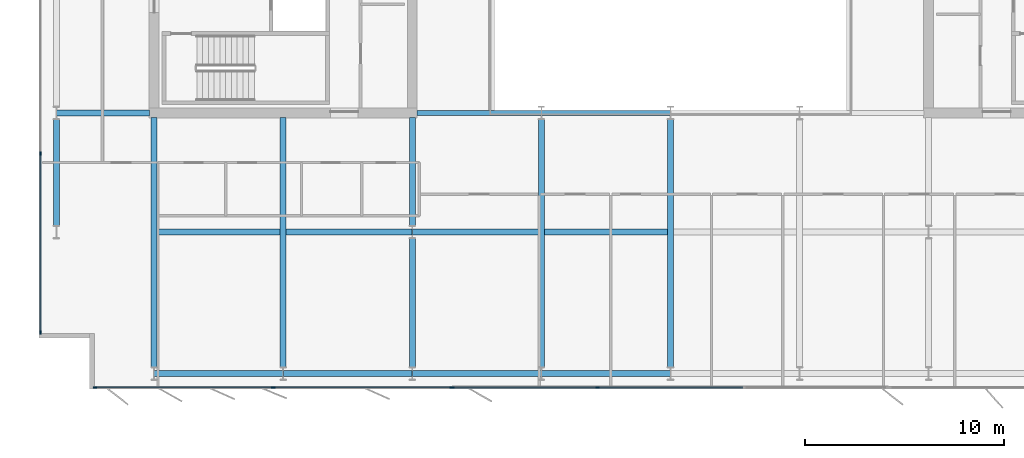
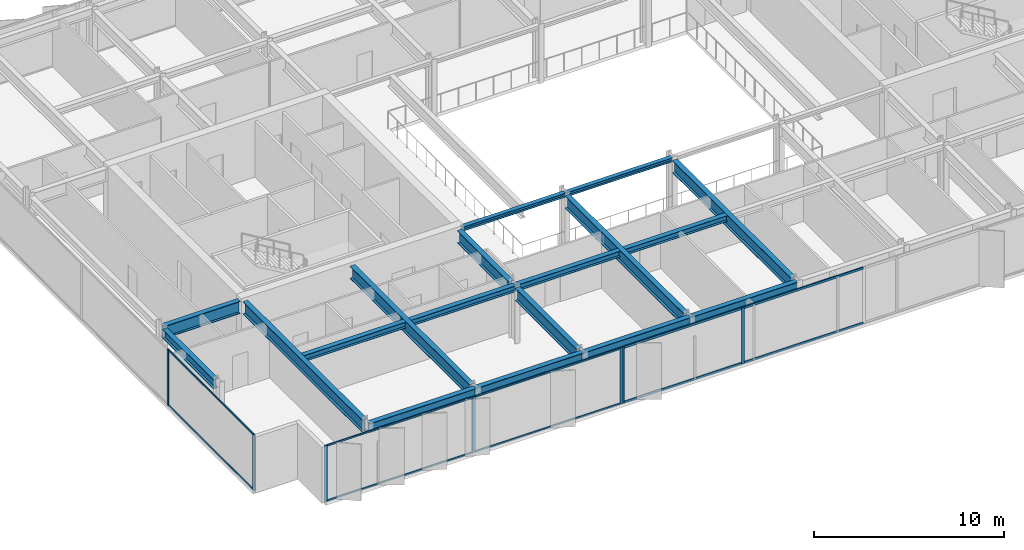
# One storey, part 4 of 20: 18 beams, 17 members, 3 elements without a shape of their own.
"""IFC4 building model written with IfcOpenShell, lengths in metres."""

from ifc_helpers import new_model, si_unit, direction, frame, origin, origin_2d, place, context, subcontext, project, spatial, rectangle, i_section, extrude, material, layer, layer_set, material_profile, profile_set, type_object, element, aggregate, save


model = new_model("IFC4")

# Units and contexts
model_context = context("Model", 3, precision=1e-05, world=origin(), true_north=direction((0.0, 1.0)))
body_context = subcontext(model_context, "Body", "Model", "MODEL_VIEW")
ifc_project = project(units=[si_unit("LENGTHUNIT", "METRE"), si_unit("AREAUNIT", "SQUARE_METRE"), si_unit("VOLUMEUNIT", "CUBIC_METRE"), si_unit("PLANEANGLEUNIT", "RADIAN"), si_unit("MASSUNIT", "GRAM", prefix="KILO")], contexts=[model_context])

# Site, building, storey
site_placement = place(None, origin())
site = spatial("IfcSite", under=ifc_project, at=site_placement, CompositionType="ELEMENT")
building_placement = place(site_placement, origin())
building = spatial("IfcBuilding", under=site, at=building_placement, Name="Putna Gate Headquarters", CompositionType="ELEMENT")
storey_placement = place(building_placement, frame((0.0, 0.0, 270.800048828125)))
storey = spatial("IfcBuildingStorey", under=building, at=storey_placement, Name="L68", CompositionType="ELEMENT", Elevation=270.800048828125)

# Beams
ifc_material_1 = material(Name="Steel S355J2", Category="steel")
ifc_material_profile_1 = material_profile(ifc_material_1, i_section(OverallWidth=0.260009765625, OverallDepth=0.260009765625, WebThickness=0.010009765625, FlangeThickness=0.017578125, at=origin_2d()), Name="Steel S355J2")
ifc_profile_set_1 = profile_set([ifc_material_profile_1], Name="Steel S355J2")
beam_type_1 = type_object("IfcBeamType", Name="BM-ATRIUM-HEB260", PredefinedType="BEAM", material=ifc_profile_set_1)
beam_1_placement = place(storey_placement, frame((26.235107421875, 19.0, 3.4580078125), z_axis=(1.0, 0.0, 0.0), x_axis=(0.0, 1.0, 0.0)))
element("IfcBeam", 1, at=beam_1_placement, inside=storey, type_object=beam_type_1, Name="L68 Atrium Edge Beam AS1", PredefinedType="BEAM", context=body_context, shape_type="SweptSolid", body=[
    extrude(i_section(OverallWidth=0.260009765625, OverallDepth=0.260009765625, WebThickness=0.010009765625, FlangeThickness=0.017578125, at=origin_2d()), origin(), (0.0, 0.0, 1.0), 6.2587890625),
])
beam_2_placement = place(storey_placement, frame((32.506103515625, 19.0, 3.4580078125), z_axis=(1.0, 0.0, 0.0), x_axis=(0.0, 1.0, 0.0)))
element("IfcBeam", 2, at=beam_2_placement, inside=storey, type_object=beam_type_1, Name="L68 Atrium Edge Beam AS2", PredefinedType="BEAM", context=body_context, shape_type="SweptSolid", body=[
    extrude(i_section(OverallWidth=0.260009765625, OverallDepth=0.260009765625, WebThickness=0.010009765625, FlangeThickness=0.017578125, at=origin_2d()), origin(), (0.0, 0.0, 1.0), 6.48779296875),
])
ifc_material_profile_2 = material_profile(ifc_material_1, i_section(OverallWidth=0.300048828125, OverallDepth=0.800048828125, WebThickness=0.017578125, FlangeThickness=0.032958984375, at=origin_2d()), Name="Steel S355J2")
ifc_profile_set_2 = profile_set([ifc_material_profile_2], Name="Steel S355J2")
beam_type_2 = type_object("IfcBeamType", Name="BM-GIRD-P-HEB800", PredefinedType="USERDEFINED", material=ifc_profile_set_2)
beam_3_placement = place(storey_placement, frame((8.0859375, 19.0, 3.18798828125), z_axis=(1.0, 0.0, 0.0), x_axis=(0.0, 1.0, 0.0)))
element("IfcBeam", 3, at=beam_3_placement, inside=storey, type_object=beam_type_2, Name="L68 West Wing Girder Y19", ObjectType="GIRDER", PredefinedType="USERDEFINED", context=body_context, shape_type="SweptSolid", body=[
    extrude(i_section(OverallWidth=0.300048828125, OverallDepth=0.800048828125, WebThickness=0.017578125, FlangeThickness=0.032958984375, at=origin_2d()), origin(), (0.0, 0.0, 1.0), 4.678955078125),
])
for number, where, z_axis, x_axis, name in (
    (4, (13.0, 6.201904296875, 3.18798828125), (0.0, 1.0, 0.0), (-1.0, 0.0, 0.0), "L68 South Primary Girder X13"),
    (5, (19.5, 6.201904296875, 3.18798828125), (0.0, 1.0, 0.0), (-1.0, 0.0, 0.0), "L68 South Primary Girder X19"),
):
    element("IfcBeam", number, at=place(storey_placement, frame(where, z_axis=z_axis, x_axis=x_axis)), inside=storey, type_object=beam_type_2, Name=name, ObjectType="GIRDER", PredefinedType="USERDEFINED", context=body_context, shape_type="SweptSolid", body=[
        extrude(i_section(OverallWidth=0.300048828125, OverallDepth=0.800048828125, WebThickness=0.017578125, FlangeThickness=0.032958984375, at=origin_2d()), origin(), (0.0, 0.0, 1.0), 12.56298828125),
    ])
beam_4_placement = place(storey_placement, frame((26.0, 6.201904296875, 3.18798828125), z_axis=(0.0, 1.0, 0.0), x_axis=(-1.0, 0.0, 0.0)))
element("IfcBeam", 6, at=beam_4_placement, inside=storey, type_object=beam_type_2, Name="L68 South Primary Girder X26-1", ObjectType="GIRDER", PredefinedType="USERDEFINED", context=body_context, shape_type="SweptSolid", body=[
    extrude(i_section(OverallWidth=0.300048828125, OverallDepth=0.800048828125, WebThickness=0.017578125, FlangeThickness=0.032958984375, at=origin_2d()), origin(), (0.0, 0.0, 1.0), 6.47607421875),
])
beam_5_placement = place(storey_placement, frame((26.0, 13.322021484375, 3.18798828125), z_axis=(0.0, 1.0, 0.0), x_axis=(-1.0, 0.0, 0.0)))
element("IfcBeam", 7, at=beam_5_placement, inside=storey, type_object=beam_type_2, Name="L68 South Primary Girder X26-2", ObjectType="GIRDER", PredefinedType="USERDEFINED", context=body_context, shape_type="SweptSolid", body=[
    extrude(i_section(OverallWidth=0.300048828125, OverallDepth=0.800048828125, WebThickness=0.017578125, FlangeThickness=0.032958984375, at=origin_2d()), origin(), (0.0, 0.0, 1.0), 5.44287109375),
])
for number, where, z_axis, x_axis, name in (
    (8, (32.5, 6.201904296875, 3.18798828125), (0.0, 1.0, 0.0), (-1.0, 0.0, 0.0), "L68 South Primary Girder X32"),
    (9, (39.0, 6.201904296875, 3.18798828125), (0.0, 1.0, 0.0), (-1.0, 0.0, 0.0), "L68 South Primary Girder X39"),
):
    element("IfcBeam", number, at=place(storey_placement, frame(where, z_axis=z_axis, x_axis=x_axis)), inside=storey, type_object=beam_type_2, Name=name, ObjectType="GIRDER", PredefinedType="USERDEFINED", context=body_context, shape_type="SweptSolid", body=[
        extrude(i_section(OverallWidth=0.300048828125, OverallDepth=0.800048828125, WebThickness=0.017578125, FlangeThickness=0.032958984375, at=origin_2d()), origin(), (0.0, 0.0, 1.0), 12.47607421875),
    ])
ifc_material_profile_3 = material_profile(ifc_material_1, i_section(OverallWidth=0.300048828125, OverallDepth=0.389892578125, WebThickness=0.010986328125, FlangeThickness=0.01904296875, at=origin_2d()), Name="Steel S355J2")
ifc_profile_set_3 = profile_set([ifc_material_profile_3], Name="Steel S355J2")
beam_type_3 = type_object("IfcBeamType", Name="BM-SEC-Z5-HEA400", PredefinedType="BEAM", material=ifc_profile_set_3)
beam_6_placement = place(storey_placement, frame((13.154052734375, 13.0, 3.39306640625), z_axis=(1.0, 0.0, 0.0), x_axis=(0.0, 1.0, 0.0)))
element("IfcBeam", 10, at=beam_6_placement, inside=storey, type_object=beam_type_3, Name="L68 South Secondary Beam 1", PredefinedType="BEAM", context=body_context, shape_type="SweptSolid", body=[
    extrude(i_section(OverallWidth=0.300048828125, OverallDepth=0.389892578125, WebThickness=0.010986328125, FlangeThickness=0.01904296875, at=origin_2d()), origin(), (0.0, 0.0, 1.0), 6.19189453125),
])
for number, where, z_axis, x_axis, name in (
    (11, (19.654052734375, 13.0, 3.39306640625), (1.0, 0.0, 0.0), (0.0, 1.0, 0.0), "L68 South Secondary Beam 2"),
    (12, (26.006103515625, 13.0, 3.39306640625), (1.0, 0.0, 0.0), (0.0, 1.0, 0.0), "L68 South Secondary Beam 3"),
):
    element("IfcBeam", number, at=place(storey_placement, frame(where, z_axis=z_axis, x_axis=x_axis)), inside=storey, type_object=beam_type_3, Name=name, PredefinedType="BEAM", context=body_context, shape_type="SweptSolid", body=[
        extrude(i_section(OverallWidth=0.300048828125, OverallDepth=0.389892578125, WebThickness=0.010986328125, FlangeThickness=0.01904296875, at=origin_2d()), origin(), (0.0, 0.0, 1.0), 6.33984375),
    ])
beam_7_placement = place(storey_placement, frame((32.654052734375, 13.0, 3.39306640625), z_axis=(1.0, 0.0, 0.0), x_axis=(0.0, 1.0, 0.0)))
element("IfcBeam", 13, at=beam_7_placement, inside=storey, type_object=beam_type_3, Name="L68 South Secondary Beam 4", PredefinedType="BEAM", context=body_context, shape_type="SweptSolid", body=[
    extrude(i_section(OverallWidth=0.300048828125, OverallDepth=0.389892578125, WebThickness=0.010986328125, FlangeThickness=0.01904296875, at=origin_2d()), origin(), (0.0, 0.0, 1.0), 6.19189453125),
])
ifc_material_profile_4 = material_profile(ifc_material_1, i_section(OverallWidth=0.300048828125, OverallDepth=0.590087890625, WebThickness=0.012939453125, FlangeThickness=0.02490234375, at=origin_2d()), Name="Steel S355J2")
ifc_profile_set_4 = profile_set([ifc_material_profile_4], Name="Steel S355J2")
beam_type_4 = type_object("IfcBeamType", Name="BM-SPAN-Z4-HEA600", PredefinedType="SPANDREL", material=ifc_profile_set_4)
for number, where, z_axis, x_axis, name in (
    (14, (13.006103515625, 5.8798828125, 3.29296875), (1.0, 0.0, 0.0), (0.0, 1.0, 0.0), "L68 S Perimeter Spandrel 1"),
    (15, (19.506103515625, 5.8798828125, 3.29296875), (1.0, 0.0, 0.0), (0.0, 1.0, 0.0), "L68 S Perimeter Spandrel 2"),
    (16, (26.006103515625, 5.8798828125, 3.29296875), (1.0, 0.0, 0.0), (0.0, 1.0, 0.0), "L68 S Perimeter Spandrel 3"),
    (17, (32.506103515625, 5.8798828125, 3.29296875), (1.0, 0.0, 0.0), (0.0, 1.0, 0.0), "L68 S Perimeter Spandrel 4"),
):
    element("IfcBeam", number, at=place(storey_placement, frame(where, z_axis=z_axis, x_axis=x_axis)), inside=storey, type_object=beam_type_4, Name=name, PredefinedType="SPANDREL", context=body_context, shape_type="SweptSolid", body=[
        extrude(i_section(OverallWidth=0.300048828125, OverallDepth=0.590087890625, WebThickness=0.012939453125, FlangeThickness=0.02490234375, at=origin_2d()), origin(), (0.0, 0.0, 1.0), 6.48779296875),
    ])
beam_8_placement = place(storey_placement, frame((8.080078125, 13.322021484375, 3.29296875), z_axis=(0.0, 1.0, 0.0), x_axis=(-1.0, 0.0, 0.0)))
element("IfcBeam", 18, at=beam_8_placement, inside=storey, type_object=beam_type_4, Name="L68 W End Spandrel 1", PredefinedType="SPANDREL", context=body_context, shape_type="SweptSolid", body=[
    extrude(i_section(OverallWidth=0.300048828125, OverallDepth=0.590087890625, WebThickness=0.012939453125, FlangeThickness=0.02490234375, at=origin_2d()), origin(), (0.0, 0.0, 1.0), 5.35595703125),
])

# Curtain wall, members
ifc_material_2 = material(Name="Anodised bronze aluminium curtain wall", Category="aluminium")
ifc_layer_1 = layer(ifc_material_2, 0.179931640625)
ifc_layer_set_1 = layer_set([ifc_layer_1], Name="Anodised bronze aluminium curtain wall")
curtain_wall_type_1 = type_object("IfcCurtainWallType", Name="CW-SYS-Z5", PredefinedType="USERDEFINED", material=ifc_layer_set_1)
curtain_wall_1_placement = place(storey_placement, origin())
curtain_wall_1 = element("IfcCurtainWall", 19, at=curtain_wall_1_placement, inside=storey, type_object=curtain_wall_type_1, Name="L68 South West Curtain Wall", ObjectType="STICK CURTAIN WALL", PredefinedType="USERDEFINED")
ifc_material_3 = material(Name="Anodised bronze aluminium EN AW-6060", Category="aluminium")
ifc_material_profile_5 = material_profile(ifc_material_3, rectangle(XDim=0.070068359375, YDim=0.179931640625, at=origin_2d()), Name="Anodised bronze aluminium EN AW-6060")
ifc_profile_set_5 = profile_set([ifc_material_profile_5], Name="Anodised bronze aluminium EN AW-6060")
member_type_1 = type_object("IfcMemberType", Name="MULL-CWM-5", PredefinedType="MULLION", material=ifc_profile_set_5)
member_1_placement = place(storey_placement, frame((10.034912109375, 5.179931640625, 0.0), z_axis=(0.0, 0.0, 1.0), x_axis=(0.0, 1.0, 0.0)))
member_1 = element("IfcMember", 20, at=member_1_placement, type_object=member_type_1, Name="CWS-5 mullion 1", PredefinedType="MULLION", context=body_context, shape_type="SweptSolid", body=[
    extrude(rectangle(XDim=0.070068359375, YDim=0.179931640625, at=origin_2d()), origin(), (0.0, 0.0, 1.0), 3.587890625),
])
member_2_placement = place(storey_placement, frame((19.0, 5.179931640625, 0.0), z_axis=(0.0, 0.0, 1.0), x_axis=(0.0, 1.0, 0.0)))
member_2 = element("IfcMember", 21, at=member_2_placement, type_object=member_type_1, Name="CWS-5 mullion 2", PredefinedType="MULLION", context=body_context, shape_type="SweptSolid", body=[
    extrude(rectangle(XDim=0.070068359375, YDim=0.179931640625, at=origin_2d()), origin(), (0.0, 0.0, 1.0), 3.587890625),
])
member_3_placement = place(storey_placement, frame((27.965087890625, 5.179931640625, 0.0), z_axis=(0.0, 0.0, 1.0), x_axis=(0.0, 1.0, 0.0)))
member_3 = element("IfcMember", 22, at=member_3_placement, type_object=member_type_1, Name="CWS-5 mullion 3", PredefinedType="MULLION", context=body_context, shape_type="SweptSolid", body=[
    extrude(rectangle(XDim=0.070068359375, YDim=0.179931640625, at=origin_2d()), origin(), (0.0, 0.0, 1.0), 3.587890625),
])

curtain_wall_2_placement = place(storey_placement, origin())
curtain_wall_2 = element("IfcCurtainWall", 23, at=curtain_wall_2_placement, inside=storey, type_object=curtain_wall_type_1, Name="L68 West Curtain Wall", ObjectType="STICK CURTAIN WALL", PredefinedType="USERDEFINED")
member_4_placement = place(storey_placement, frame((7.280029296875, 7.93505859375, 0.0), z_axis=(0.0, 0.0, 1.0), x_axis=(-1.0, 0.0, 0.0)))
member_4 = element("IfcMember", 24, at=member_4_placement, type_object=member_type_1, Name="CWS-5 mullion 1", PredefinedType="MULLION", context=body_context, shape_type="SweptSolid", body=[
    extrude(rectangle(XDim=0.070068359375, YDim=0.179931640625, at=origin_2d()), origin(), (0.0, 0.0, 1.0), 3.587890625),
])
member_5_placement = place(storey_placement, frame((7.280029296875, 16.949951171875, 0.0), z_axis=(0.0, 0.0, 1.0), x_axis=(-1.0, 0.0, 0.0)))
member_5 = element("IfcMember", 25, at=member_5_placement, type_object=member_type_1, Name="CWS-5 mullion 2", PredefinedType="MULLION", context=body_context, shape_type="SweptSolid", body=[
    extrude(rectangle(XDim=0.070068359375, YDim=0.179931640625, at=origin_2d()), origin(), (0.0, 0.0, 1.0), 3.587890625),
])

ifc_layer_2 = layer(ifc_material_2, 0.179931640625)
ifc_layer_set_2 = layer_set([ifc_layer_2], Name="Anodised bronze aluminium curtain wall")
curtain_wall_type_2 = type_object("IfcCurtainWallType", Name="CW-SYS-ATR", PredefinedType="USERDEFINED", material=ifc_layer_set_2)
curtain_wall_3_placement = place(storey_placement, origin())
curtain_wall_3 = element("IfcCurtainWall", 26, at=curtain_wall_3_placement, inside=storey, type_object=curtain_wall_type_2, Name="L68 South Atrium Clear Glazing", ObjectType="ATRIUM GLAZING", PredefinedType="USERDEFINED")
ifc_material_profile_6 = material_profile(ifc_material_3, rectangle(XDim=0.070068359375, YDim=0.179931640625, at=origin_2d()), Name="Anodised bronze aluminium EN AW-6060")
ifc_profile_set_6 = profile_set([ifc_material_profile_6], Name="Anodised bronze aluminium EN AW-6060")
member_type_2 = type_object("IfcMemberType", Name="MULL-CWM-AT", PredefinedType="MULLION", material=ifc_profile_set_6)
member_6_placement = place(storey_placement, frame((28.034912109375, 5.179931640625, 0.0), z_axis=(0.0, 0.0, 1.0), x_axis=(0.0, 1.0, 0.0)))
member_6 = element("IfcMember", 27, at=member_6_placement, type_object=member_type_2, Name="CWS-AT mullion 1", PredefinedType="MULLION", context=body_context, shape_type="SweptSolid", body=[
    extrude(rectangle(XDim=0.070068359375, YDim=0.179931640625, at=origin_2d()), origin(), (0.0, 0.0, 1.0), 3.587890625),
])
member_7_placement = place(storey_placement, frame((35.333251953125, 5.179931640625, 0.0), z_axis=(0.0, 0.0, 1.0), x_axis=(0.0, 1.0, 0.0)))
member_7 = element("IfcMember", 28, at=member_7_placement, type_object=member_type_2, Name="CWS-AT mullion 2", PredefinedType="MULLION", context=body_context, shape_type="SweptSolid", body=[
    extrude(rectangle(XDim=0.070068359375, YDim=0.179931640625, at=origin_2d()), origin(), (0.0, 0.0, 1.0), 3.587890625),
])

# Member
ifc_material_profile_7 = material_profile(ifc_material_3, rectangle(XDim=0.06005859375, YDim=0.10009765625, at=origin_2d()), Name="Anodised bronze aluminium EN AW-6060")
ifc_profile_set_7 = profile_set([ifc_material_profile_7], Name="Anodised bronze aluminium EN AW-6060")
member_type_3 = type_object("IfcMemberType", Name="TRAN-CWT-5", PredefinedType="USERDEFINED", material=ifc_profile_set_7)
member_8_placement = place(storey_placement, frame((10.070068359375, 5.179931640625, 0.030029296875), z_axis=(1.0, 0.0, 0.0), x_axis=(0.0, 1.0, 0.0)))
member_8 = element("IfcMember", 29, at=member_8_placement, type_object=member_type_3, Name="CWS-5 transom 1.1", ObjectType="TRANSOM", PredefinedType="USERDEFINED", context=body_context, shape_type="SweptSolid", body=[
    extrude(rectangle(XDim=0.06005859375, YDim=0.10009765625, at=origin_2d()), origin(), (0.0, 0.0, 1.0), 8.89501953125),
])

member_9_placement = place(storey_placement, frame((10.070068359375, 5.179931640625, 3.557861328125), z_axis=(1.0, 0.0, 0.0), x_axis=(0.0, 1.0, 0.0)))
member_9 = element("IfcMember", 30, at=member_9_placement, type_object=member_type_3, Name="CWS-5 transom 1.2", ObjectType="TRANSOM", PredefinedType="USERDEFINED", context=body_context, shape_type="SweptSolid", body=[
    extrude(rectangle(XDim=0.06005859375, YDim=0.10009765625, at=origin_2d()), origin(), (0.0, 0.0, 1.0), 8.89501953125),
])

member_10_placement = place(storey_placement, frame((19.034912109375, 5.179931640625, 0.030029296875), z_axis=(1.0, 0.0, 0.0), x_axis=(0.0, 1.0, 0.0)))
member_10 = element("IfcMember", 31, at=member_10_placement, type_object=member_type_3, Name="CWS-5 transom 2.1", ObjectType="TRANSOM", PredefinedType="USERDEFINED", context=body_context, shape_type="SweptSolid", body=[
    extrude(rectangle(XDim=0.06005859375, YDim=0.10009765625, at=origin_2d()), origin(), (0.0, 0.0, 1.0), 8.89501953125),
])

member_11_placement = place(storey_placement, frame((19.034912109375, 5.179931640625, 3.557861328125), z_axis=(1.0, 0.0, 0.0), x_axis=(0.0, 1.0, 0.0)))
member_11 = element("IfcMember", 32, at=member_11_placement, type_object=member_type_3, Name="CWS-5 transom 2.2", ObjectType="TRANSOM", PredefinedType="USERDEFINED", context=body_context, shape_type="SweptSolid", body=[
    extrude(rectangle(XDim=0.06005859375, YDim=0.10009765625, at=origin_2d()), origin(), (0.0, 0.0, 1.0), 8.89501953125),
])

aggregate(curtain_wall_1, [member_1, member_2, member_3, member_8, member_9, member_10, member_11])

member_12_placement = place(storey_placement, frame((7.280029296875, 7.969970703125, 0.030029296875), z_axis=(0.0, 1.0, 0.0), x_axis=(-1.0, 0.0, 0.0)))
member_12 = element("IfcMember", 33, at=member_12_placement, type_object=member_type_3, Name="CWS-5 transom 1.1", ObjectType="TRANSOM", PredefinedType="USERDEFINED", context=body_context, shape_type="SweptSolid", body=[
    extrude(rectangle(XDim=0.06005859375, YDim=0.10009765625, at=origin_2d()), origin(), (0.0, 0.0, 1.0), 8.945068359375),
])

member_13_placement = place(storey_placement, frame((7.280029296875, 7.969970703125, 3.557861328125), z_axis=(0.0, 1.0, 0.0), x_axis=(-1.0, 0.0, 0.0)))
member_13 = element("IfcMember", 34, at=member_13_placement, type_object=member_type_3, Name="CWS-5 transom 1.2", ObjectType="TRANSOM", PredefinedType="USERDEFINED", context=body_context, shape_type="SweptSolid", body=[
    extrude(rectangle(XDim=0.06005859375, YDim=0.10009765625, at=origin_2d()), origin(), (0.0, 0.0, 1.0), 8.945068359375),
])

aggregate(curtain_wall_2, [member_4, member_5, member_12, member_13])

ifc_material_profile_8 = material_profile(ifc_material_3, rectangle(XDim=0.070068359375, YDim=0.139892578125, at=origin_2d()), Name="Anodised bronze aluminium EN AW-6060")
ifc_profile_set_8 = profile_set([ifc_material_profile_8], Name="Anodised bronze aluminium EN AW-6060")
member_type_4 = type_object("IfcMemberType", Name="TRAN-CWT-AT", PredefinedType="USERDEFINED", material=ifc_profile_set_8)
member_14_placement = place(storey_placement, frame((28.070068359375, 5.179931640625, 0.034912109375), z_axis=(1.0, 0.0, 0.0), x_axis=(0.0, 1.0, 0.0)))
member_14 = element("IfcMember", 35, at=member_14_placement, type_object=member_type_4, Name="CWS-AT transom 1.1", ObjectType="TRANSOM", PredefinedType="USERDEFINED", context=body_context, shape_type="SweptSolid", body=[
    extrude(rectangle(XDim=0.070068359375, YDim=0.139892578125, at=origin_2d()), origin(), (0.0, 0.0, 1.0), 7.228271484375),
])

member_15_placement = place(storey_placement, frame((28.070068359375, 5.179931640625, 3.552978515625), z_axis=(1.0, 0.0, 0.0), x_axis=(0.0, 1.0, 0.0)))
member_15 = element("IfcMember", 36, at=member_15_placement, type_object=member_type_4, Name="CWS-AT transom 1.2", ObjectType="TRANSOM", PredefinedType="USERDEFINED", context=body_context, shape_type="SweptSolid", body=[
    extrude(rectangle(XDim=0.070068359375, YDim=0.139892578125, at=origin_2d()), origin(), (0.0, 0.0, 1.0), 7.228271484375),
])

member_16_placement = place(storey_placement, frame((35.368408203125, 5.179931640625, 0.034912109375), z_axis=(1.0, 0.0, 0.0), x_axis=(0.0, 1.0, 0.0)))
member_16 = element("IfcMember", 37, at=member_16_placement, type_object=member_type_4, Name="CWS-AT transom 2.1", ObjectType="TRANSOM", PredefinedType="USERDEFINED", context=body_context, shape_type="SweptSolid", body=[
    extrude(rectangle(XDim=0.070068359375, YDim=0.139892578125, at=origin_2d()), origin(), (0.0, 0.0, 1.0), 7.26318359375),
])

member_17_placement = place(storey_placement, frame((35.368408203125, 5.179931640625, 3.552978515625), z_axis=(1.0, 0.0, 0.0), x_axis=(0.0, 1.0, 0.0)))
member_17 = element("IfcMember", 38, at=member_17_placement, type_object=member_type_4, Name="CWS-AT transom 2.2", ObjectType="TRANSOM", PredefinedType="USERDEFINED", context=body_context, shape_type="SweptSolid", body=[
    extrude(rectangle(XDim=0.070068359375, YDim=0.139892578125, at=origin_2d()), origin(), (0.0, 0.0, 1.0), 7.26318359375),
])

aggregate(curtain_wall_3, [member_6, member_7, member_14, member_15, member_16, member_17])

save(model, "model.ifc")
